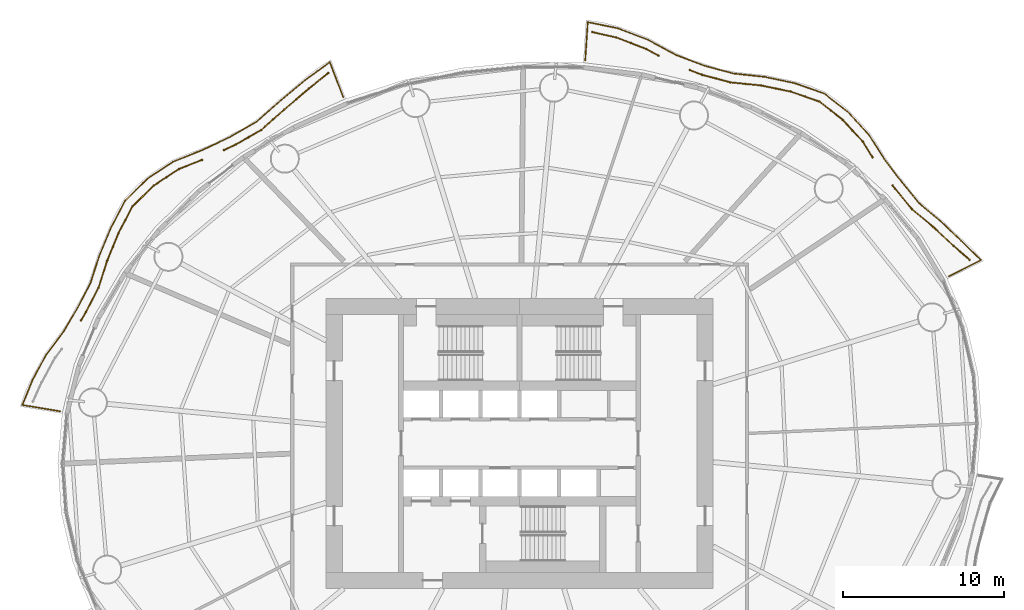
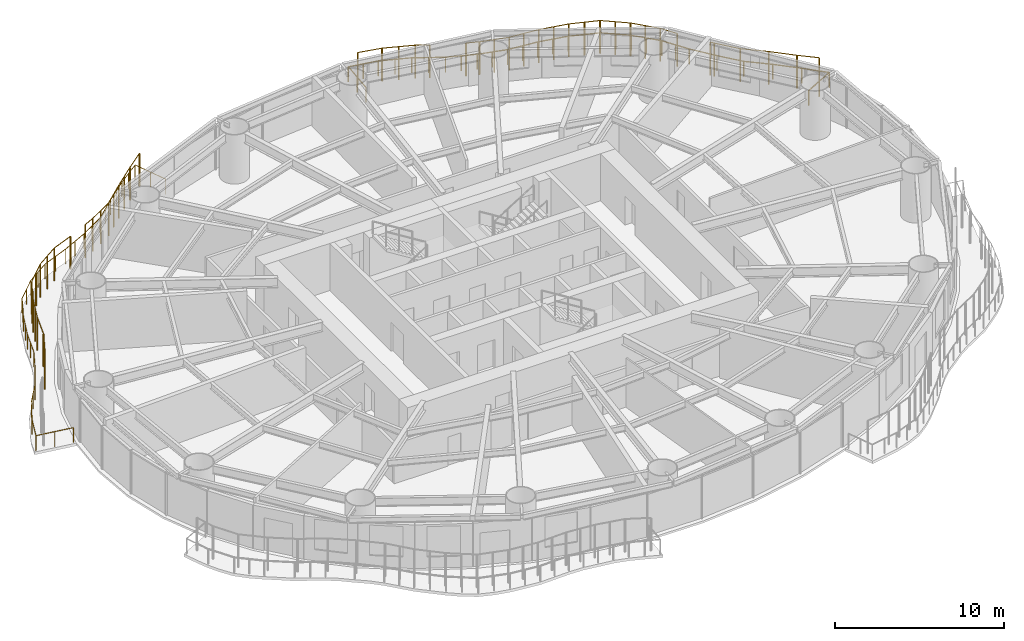
# One storey, part 16 of 16: 7 railings.
"""IFC4 building model written with IfcOpenShell, lengths in metres."""

from ifc_helpers import new_model, si_unit, direction, frame, origin, origin_2d, place, context, subcontext, project, spatial, circle, extrude, material, type_object, element, save


model = new_model("IFC4")

# Units and contexts
model_context = context("Model", 3, precision=1e-05, world=origin(), true_north=direction((0.0, 1.0)))
body_context = subcontext(model_context, "Body", "Model", "MODEL_VIEW")
ifc_project = project(units=[si_unit("LENGTHUNIT", "METRE"), si_unit("AREAUNIT", "SQUARE_METRE"), si_unit("VOLUMEUNIT", "CUBIC_METRE"), si_unit("PLANEANGLEUNIT", "RADIAN"), si_unit("MASSUNIT", "GRAM", prefix="KILO")], contexts=[model_context])

# Site, building, storey
site_placement = place(None, origin())
site = spatial("IfcSite", under=ifc_project, at=site_placement, CompositionType="ELEMENT")
building_placement = place(site_placement, origin())
building = spatial("IfcBuilding", under=site, at=building_placement, Name="Vermilion Reach Broadcast Tower", CompositionType="ELEMENT")
storey_placement = place(building_placement, frame((0.0, 0.0, 69.300048828125)))
storey = spatial("IfcBuildingStorey", under=building, at=storey_placement, Name="L14", CompositionType="ELEMENT", Elevation=69.300048828125)

# Railings
ifc_material_1 = material(Name="Terracotta baguette", Category="masonry")
railing_type_1 = type_object("IfcRailingType", Name="BAGUETTE SCREEN", PredefinedType="USERDEFINED", material=ifc_material_1)
railing_1_placement = place(storey_placement, frame((21.9052734375, 11.389404296875, 0.0)))
element("IfcRailing", 1, at=railing_1_placement, inside=storey, type_object=railing_type_1, Name="Baguette screen L14 group 1 part 1", ObjectType="BAGUETTE SCREEN", PredefinedType="USERDEFINED", context=body_context, shape_type="SweptSolid", body=[
    extrude(circle(Radius=0.030029296875, at=origin_2d()), frame((0.0, 0.0, 2.369873046875), z_axis=(-0.757444305583, 0.652899780931, 0.0), x_axis=(-0.652899780931, -0.757444305583, 0.0)), (0.0, 0.0, 1.0), 1.33349609375),
    extrude(circle(Radius=0.030029296875, at=origin_2d()), frame((-1.010009765625, 0.87060546875, 2.369873046875), z_axis=(-0.729706271537, 0.683760745641, 0.0), x_axis=(-0.683760745641, -0.729706271537, 0.0)), (0.0, 0.0, 1.0), 1.7109375),
    extrude(circle(Radius=0.030029296875, at=origin_2d()), frame((-2.258544921875, 2.04052734375, 2.369873046875), z_axis=(-0.768268114876, 0.64012819315, 0.0), x_axis=(-0.64012819315, -0.768268114876, 0.0)), (0.0, 0.0, 1.0), 1.708984375),
    extrude(circle(Radius=0.030029296875, at=origin_2d()), frame((-3.571533203125, 3.134521484375, 2.369873046875), z_axis=(-0.636260114843, 0.771474605065, 0.0), x_axis=(-0.771474605065, -0.636260114843, 0.0)), (0.0, 0.0, 1.0), 1.65576171875),
    extrude(circle(Radius=0.030029296875, at=origin_2d()), frame((-4.625, 4.411865234375, 2.369873046875), z_axis=(-0.602488804295, 0.798127333638, 0.0), x_axis=(-0.798127333638, -0.602488804295, 0.0)), (0.0, 0.0, 1.0), 0.250732421875),
    extrude(circle(Radius=0.050048828125, at=origin_2d()), origin(), (0.0, 0.0, 1.0), 2.33984375),
    extrude(circle(Radius=0.050048828125, at=origin_2d()), frame((-1.010009765625, 0.87060546875, 0.0)), (0.0, 0.0, 1.0), 2.33984375),
    extrude(circle(Radius=0.050048828125, at=origin_2d()), frame((-2.258544921875, 2.04052734375, 0.0)), (0.0, 0.0, 1.0), 2.33984375),
    extrude(circle(Radius=0.050048828125, at=origin_2d()), frame((-3.571533203125, 3.134521484375, 0.0)), (0.0, 0.0, 1.0), 2.33984375),
    extrude(circle(Radius=0.050048828125, at=origin_2d()), frame((-4.625, 4.411865234375, 0.0)), (0.0, 0.0, 1.0), 2.33984375),
    extrude(circle(Radius=0.050048828125, at=origin_2d()), frame((-4.776123046875, 4.612060546875, 0.0)), (0.0, 0.0, 1.0), 2.33984375),
])
railing_2_placement = place(storey_placement, frame((15.881103515625, 17.751708984375, 0.0)))
element("IfcRailing", 2, at=railing_2_placement, inside=storey, type_object=railing_type_1, Name="Baguette screen L14 group 1 part 2", ObjectType="BAGUETTE SCREEN", PredefinedType="USERDEFINED", context=body_context, shape_type="SweptSolid", body=[
    extrude(circle(Radius=0.030029296875, at=origin_2d()), frame((0.0, 0.0, 2.369873046875), z_axis=(-0.53182524605, 0.846854124194, 0.0), x_axis=(-0.846854124194, -0.53182524605, 0.0)), (0.0, 0.0, 1.0), 1.140869140625),
    extrude(circle(Radius=0.030029296875, at=origin_2d()), frame((-0.606689453125, 0.966064453125, 2.369873046875), z_axis=(-0.675658544034, 0.737214712193, 0.0), x_axis=(-0.737214712193, -0.675658544034, 0.0)), (0.0, 0.0, 1.0), 1.84033203125),
    extrude(circle(Radius=0.030029296875, at=origin_2d()), frame((-1.85009765625, 2.32275390625, 2.369873046875), z_axis=(-0.787078725753, 0.616852558936, 0.0), x_axis=(-0.616852558936, -0.787078725753, 0.0)), (0.0, 0.0, 1.0), 1.82568359375),
    extrude(circle(Radius=0.030029296875, at=origin_2d()), frame((-3.287109375, 3.448974609375, 2.369873046875), z_axis=(-0.94468370232, 0.327982777856, 0.0), x_axis=(-0.327982777856, -0.94468370232, 0.0)), (0.0, 0.0, 1.0), 1.884033203125),
    extrude(circle(Radius=0.030029296875, at=origin_2d()), frame((-5.06689453125, 4.06689453125, 2.369873046875), z_axis=(-0.978976098796, 0.203974993529, 0.0), x_axis=(-0.203974993529, -0.978976098796, 0.0)), (0.0, 0.0, 1.0), 1.88037109375),
    extrude(circle(Radius=0.030029296875, at=origin_2d()), frame((-6.90771484375, 4.450439453125, 2.369873046875), z_axis=(-0.994939506838, 0.100475756938, 0.0), x_axis=(-0.100475756938, -0.994939506838, 0.0)), (0.0, 0.0, 1.0), 1.914794921875),
    extrude(circle(Radius=0.030029296875, at=origin_2d()), frame((-8.812744140625, 4.642822265625, 2.369873046875), z_axis=(-0.96628383858, 0.257479209448, 0.0), x_axis=(-0.257479209448, -0.96628383858, 0.0)), (0.0, 0.0, 1.0), 1.822509765625),
    extrude(circle(Radius=0.030029296875, at=origin_2d()), frame((-10.57373046875, 5.112060546875, 2.369873046875), z_axis=(-0.934329877738, 0.356409426876, 0.0), x_axis=(-0.356409426876, -0.934329877738, 0.0)), (0.0, 0.0, 1.0), 0.80908203125),
    extrude(circle(Radius=0.050048828125, at=origin_2d()), origin(), (0.0, 0.0, 1.0), 2.33984375),
    extrude(circle(Radius=0.050048828125, at=origin_2d()), frame((-0.606689453125, 0.966064453125, 0.0)), (0.0, 0.0, 1.0), 2.33984375),
    extrude(circle(Radius=0.050048828125, at=origin_2d()), frame((-1.228515625, 1.64453125, 0.0)), (0.0, 0.0, 1.0), 2.33984375),
    extrude(circle(Radius=0.050048828125, at=origin_2d()), frame((-1.85009765625, 2.32275390625, 0.0)), (0.0, 0.0, 1.0), 2.33984375),
    extrude(circle(Radius=0.050048828125, at=origin_2d()), frame((-2.568603515625, 2.8857421875, 0.0)), (0.0, 0.0, 1.0), 2.33984375),
    extrude(circle(Radius=0.050048828125, at=origin_2d()), frame((-3.287109375, 3.448974609375, 0.0)), (0.0, 0.0, 1.0), 2.33984375),
    extrude(circle(Radius=0.050048828125, at=origin_2d()), frame((-4.177001953125, 3.7578125, 0.0)), (0.0, 0.0, 1.0), 2.33984375),
    extrude(circle(Radius=0.050048828125, at=origin_2d()), frame((-5.06689453125, 4.06689453125, 0.0)), (0.0, 0.0, 1.0), 2.33984375),
    extrude(circle(Radius=0.050048828125, at=origin_2d()), frame((-5.9873046875, 4.2587890625, 0.0)), (0.0, 0.0, 1.0), 2.33984375),
    extrude(circle(Radius=0.050048828125, at=origin_2d()), frame((-6.90771484375, 4.450439453125, 0.0)), (0.0, 0.0, 1.0), 2.33984375),
    extrude(circle(Radius=0.050048828125, at=origin_2d()), frame((-7.8603515625, 4.546630859375, 0.0)), (0.0, 0.0, 1.0), 2.33984375),
    extrude(circle(Radius=0.050048828125, at=origin_2d()), frame((-8.812744140625, 4.642822265625, 0.0)), (0.0, 0.0, 1.0), 2.33984375),
    extrude(circle(Radius=0.050048828125, at=origin_2d()), frame((-9.693359375, 4.87744140625, 0.0)), (0.0, 0.0, 1.0), 2.33984375),
    extrude(circle(Radius=0.050048828125, at=origin_2d()), frame((-10.57373046875, 5.112060546875, 0.0)), (0.0, 0.0, 1.0), 2.33984375),
    extrude(circle(Radius=0.050048828125, at=origin_2d()), frame((-11.32958984375, 5.400390625, 0.0)), (0.0, 0.0, 1.0), 2.33984375),
])
railing_3_placement = place(storey_placement, frame((2.606689453125, 24.05126953125, 0.0)))
element("IfcRailing", 3, at=railing_3_placement, inside=storey, type_object=railing_type_1, Name="Baguette screen L14 group 1 part 3", ObjectType="BAGUETTE SCREEN", PredefinedType="USERDEFINED", context=body_context, shape_type="SweptSolid", body=[
    extrude(circle(Radius=0.030029296875, at=origin_2d()), frame((0.0, 0.0, 2.369873046875), z_axis=(-0.877628398678, 0.479341625393, 0.0), x_axis=(-0.479341625393, -0.877628398678, 0.0)), (0.0, 0.0, 1.0), 0.87353515625),
    extrude(circle(Radius=0.030029296875, at=origin_2d()), frame((-0.7666015625, 0.418701171875, 2.369873046875), z_axis=(-0.933608831445, 0.35829394336, 0.0), x_axis=(-0.35829394336, -0.933608831445, 0.0)), (0.0, 0.0, 1.0), 1.982177734375),
    extrude(circle(Radius=0.030029296875, at=origin_2d()), frame((-2.6171875, 1.12890625, 2.369873046875), z_axis=(-0.976221229481, 0.216776638756, 0.0), x_axis=(-0.216776638756, -0.976221229481, 0.0)), (0.0, 0.0, 1.0), 1.512451171875),
    extrude(circle(Radius=0.050048828125, at=origin_2d()), origin(), (0.0, 0.0, 1.0), 2.33984375),
    extrude(circle(Radius=0.050048828125, at=origin_2d()), frame((-0.7666015625, 0.418701171875, 0.0)), (0.0, 0.0, 1.0), 2.33984375),
    extrude(circle(Radius=0.050048828125, at=origin_2d()), frame((-1.69189453125, 0.77392578125, 0.0)), (0.0, 0.0, 1.0), 2.33984375),
    extrude(circle(Radius=0.050048828125, at=origin_2d()), frame((-2.6171875, 1.12890625, 0.0)), (0.0, 0.0, 1.0), 2.33984375),
    extrude(circle(Radius=0.050048828125, at=origin_2d()), frame((-4.09375, 1.456787109375, 0.0)), (0.0, 0.0, 1.0), 2.33984375),
])
railing_4_placement = place(storey_placement, frame((-17.869384765625, 22.97265625, 0.0)))
element("IfcRailing", 4, at=railing_4_placement, inside=storey, type_object=railing_type_1, Name="Baguette screen L14 group 2 part 1", ObjectType="BAGUETTE SCREEN", PredefinedType="USERDEFINED", context=body_context, shape_type="SweptSolid", body=[
    extrude(circle(Radius=0.030029296875, at=origin_2d()), frame((0.0, 0.0, 2.369873046875), z_axis=(-0.778871217114, -0.627183886233, 0.0), x_axis=(0.627183886233, -0.778871217114, 0.0)), (0.0, 0.0, 1.0), 1.55322265625),
    extrude(circle(Radius=0.030029296875, at=origin_2d()), frame((-1.209716796875, -0.97412109375, 2.369873046875), z_axis=(-0.763194476156, -0.646168856852, 0.0), x_axis=(0.646168856852, -0.763194476156, 0.0)), (0.0, 0.0, 1.0), 1.979736328125),
    extrude(circle(Radius=0.030029296875, at=origin_2d()), frame((-2.720703125, -2.25341796875, 2.369873046875), z_axis=(-0.746554709381, -0.665324030756, 0.0), x_axis=(0.665324030756, -0.746554709381, 0.0)), (0.0, 0.0, 1.0), 1.908447265625),
    extrude(circle(Radius=0.030029296875, at=origin_2d()), frame((-4.1455078125, -3.523193359375, 2.369873046875), z_axis=(-0.868413104318, -0.49584138618, 0.0), x_axis=(0.49584138618, -0.868413104318, 0.0)), (0.0, 0.0, 1.0), 1.855712890625),
    extrude(circle(Radius=0.030029296875, at=origin_2d()), frame((-5.757080078125, -4.443359375, 2.369873046875), z_axis=(-0.905268633032, -0.424839619207, 0.0), x_axis=(0.424839619207, -0.905268633032, 0.0)), (0.0, 0.0, 1.0), 0.7861328125),
    extrude(circle(Radius=0.050048828125, at=origin_2d()), origin(), (0.0, 0.0, 1.0), 2.33984375),
    extrude(circle(Radius=0.050048828125, at=origin_2d()), frame((-1.209716796875, -0.97412109375, 0.0)), (0.0, 0.0, 1.0), 2.33984375),
    extrude(circle(Radius=0.050048828125, at=origin_2d()), frame((-1.96533203125, -1.61376953125, 0.0)), (0.0, 0.0, 1.0), 2.33984375),
    extrude(circle(Radius=0.050048828125, at=origin_2d()), frame((-2.720703125, -2.25341796875, 0.0)), (0.0, 0.0, 1.0), 2.33984375),
    extrude(circle(Radius=0.050048828125, at=origin_2d()), frame((-3.43310546875, -2.88818359375, 0.0)), (0.0, 0.0, 1.0), 2.33984375),
    extrude(circle(Radius=0.050048828125, at=origin_2d()), frame((-4.1455078125, -3.523193359375, 0.0)), (0.0, 0.0, 1.0), 2.33984375),
    extrude(circle(Radius=0.050048828125, at=origin_2d()), frame((-4.951171875, -3.9833984375, 0.0)), (0.0, 0.0, 1.0), 2.33984375),
    extrude(circle(Radius=0.050048828125, at=origin_2d()), frame((-5.757080078125, -4.443359375, 0.0)), (0.0, 0.0, 1.0), 2.33984375),
    extrude(circle(Radius=0.050048828125, at=origin_2d()), frame((-6.46875, -4.77734375, 0.0)), (0.0, 0.0, 1.0), 2.33984375),
])
railing_5_placement = place(storey_placement, frame((-25.690673828125, 17.589111328125, 0.0)))
element("IfcRailing", 5, at=railing_5_placement, inside=storey, type_object=railing_type_1, Name="Baguette screen L14 group 2 part 2", ObjectType="BAGUETTE SCREEN", PredefinedType="USERDEFINED", context=body_context, shape_type="SweptSolid", body=[
    extrude(circle(Radius=0.030029296875, at=origin_2d()), frame((0.0, 0.0, 2.369873046875), z_axis=(-0.930212082312, -0.367022454246, 0.0), x_axis=(0.367022454246, -0.930212082312, 0.0)), (0.0, 0.0, 1.0), 1.543212890625),
    extrude(circle(Radius=0.030029296875, at=origin_2d()), frame((-1.435546875, -0.56640625, 2.369873046875), z_axis=(-0.834911838921, -0.550383703637, 0.0), x_axis=(0.550383703637, -0.834911838921, 0.0)), (0.0, 0.0, 1.0), 1.86962890625),
    extrude(circle(Radius=0.030029296875, at=origin_2d()), frame((-2.99658203125, -1.595458984375, 2.369873046875), z_axis=(-0.715054701141, -0.699068504781, 0.0), x_axis=(0.699068504781, -0.715054701141, 0.0)), (0.0, 0.0, 1.0), 1.86328125),
    extrude(circle(Radius=0.030029296875, at=origin_2d()), frame((-4.328857421875, -2.89794921875, 2.369873046875), z_axis=(-0.461340285887, -0.887223275516, 0.0), x_axis=(0.887223275516, -0.461340285887, 0.0)), (0.0, 0.0, 1.0), 1.852294921875),
    extrude(circle(Radius=0.030029296875, at=origin_2d()), frame((-5.183349609375, -4.541259765625, 2.369873046875), z_axis=(-0.381170599288, -0.924504718343, 0.0), x_axis=(0.924504718343, -0.381170599288, 0.0)), (0.0, 0.0, 1.0), 1.838134765625),
    extrude(circle(Radius=0.030029296875, at=origin_2d()), frame((-5.884033203125, -6.24072265625, 2.369873046875), z_axis=(-0.303944219737, -0.952689829529, 0.0), x_axis=(0.952689829529, -0.303944219737, 0.0)), (0.0, 0.0, 1.0), 1.768798828125),
    extrude(circle(Radius=0.030029296875, at=origin_2d()), frame((-6.421630859375, -7.92578125, 2.369873046875), z_axis=(-0.4596657168, -0.888092015953, 0.0), x_axis=(0.888092015953, -0.4596657168, 0.0)), (0.0, 0.0, 1.0), 1.69580078125),
    extrude(circle(Radius=0.030029296875, at=origin_2d()), frame((-7.201171875, -9.431884765625, 2.369873046875), z_axis=(-0.50822919844, -0.861221854026, 0.0), x_axis=(0.861221854026, -0.50822919844, 0.0)), (0.0, 0.0, 1.0), 0.608642578125),
    extrude(circle(Radius=0.050048828125, at=origin_2d()), origin(), (0.0, 0.0, 1.0), 2.33984375),
    extrude(circle(Radius=0.050048828125, at=origin_2d()), frame((-1.435546875, -0.56640625, 0.0)), (0.0, 0.0, 1.0), 2.33984375),
    extrude(circle(Radius=0.050048828125, at=origin_2d()), frame((-2.216064453125, -1.0810546875, 0.0)), (0.0, 0.0, 1.0), 2.33984375),
    extrude(circle(Radius=0.050048828125, at=origin_2d()), frame((-2.99658203125, -1.595458984375, 0.0)), (0.0, 0.0, 1.0), 2.33984375),
    extrude(circle(Radius=0.050048828125, at=origin_2d()), frame((-3.66259765625, -2.24658203125, 0.0)), (0.0, 0.0, 1.0), 2.33984375),
    extrude(circle(Radius=0.050048828125, at=origin_2d()), frame((-4.328857421875, -2.89794921875, 0.0)), (0.0, 0.0, 1.0), 2.33984375),
    extrude(circle(Radius=0.050048828125, at=origin_2d()), frame((-4.756103515625, -3.7197265625, 0.0)), (0.0, 0.0, 1.0), 2.33984375),
    extrude(circle(Radius=0.050048828125, at=origin_2d()), frame((-5.183349609375, -4.541259765625, 0.0)), (0.0, 0.0, 1.0), 2.33984375),
    extrude(circle(Radius=0.050048828125, at=origin_2d()), frame((-5.53369140625, -5.39111328125, 0.0)), (0.0, 0.0, 1.0), 2.33984375),
    extrude(circle(Radius=0.050048828125, at=origin_2d()), frame((-5.884033203125, -6.24072265625, 0.0)), (0.0, 0.0, 1.0), 2.33984375),
    extrude(circle(Radius=0.050048828125, at=origin_2d()), frame((-6.421630859375, -7.92578125, 0.0)), (0.0, 0.0, 1.0), 2.33984375),
    extrude(circle(Radius=0.050048828125, at=origin_2d()), frame((-7.201171875, -9.431884765625, 0.0)), (0.0, 0.0, 1.0), 2.33984375),
    extrude(circle(Radius=0.050048828125, at=origin_2d()), frame((-7.510498046875, -9.9560546875, 0.0)), (0.0, 0.0, 1.0), 2.33984375),
])
ifc_material_2 = material(Name="Stainless steel 316 balustrade", Category="steel")
railing_type_2 = type_object("IfcRailingType", Name="Balcony guard 1100", PredefinedType="BALUSTRADE", material=ifc_material_2)
railing_6_placement = place(storey_placement, frame((20.614013671875, 10.371337890625, 0.0)))
element("IfcRailing", 6, at=railing_6_placement, inside=storey, type_object=railing_type_2, Name="Balcony guard L14 group 1", PredefinedType="BALUSTRADE", context=body_context, shape_type="SweptSolid", body=[
    extrude(circle(Radius=0.02490234375, at=origin_2d()), frame((0.0, 0.0, 1.0751953125), z_axis=(0.893278745249, 0.449503151586, 0.0), x_axis=(-0.449503151586, 0.893278745249, 0.0)), (0.0, 0.0, 1.0), 2.216552734375),
    extrude(circle(Radius=0.02490234375, at=origin_2d()), frame((1.97998046875, 0.996337890625, 1.0751953125), z_axis=(-0.710056168075, 0.704145040584, 0.0), x_axis=(-0.704145040584, -0.710056168075, 0.0)), (0.0, 0.0, 1.0), 1.693359375),
    extrude(circle(Radius=0.02490234375, at=origin_2d()), frame((0.777587890625, 2.188720703125, 1.0751953125), z_axis=(-0.725795287103, 0.687910750912, 0.0), x_axis=(-0.687910750912, -0.725795287103, 0.0)), (0.0, 0.0, 1.0), 1.7529296875),
    extrude(circle(Radius=0.02490234375, at=origin_2d()), frame((-0.49462890625, 3.39453125, 1.0751953125), z_axis=(-0.764759348439, 0.644316024149, 0.0), x_axis=(-0.644316024149, -0.764759348439, 0.0)), (0.0, 0.0, 1.0), 1.751220703125),
    extrude(circle(Radius=0.02490234375, at=origin_2d()), frame((-1.833984375, 4.52294921875, 1.0751953125), z_axis=(-0.636952090501, 0.770903388504, 0.0), x_axis=(-0.770903388504, -0.636952090501, 0.0)), (0.0, 0.0, 1.0), 1.69677734375),
    extrude(circle(Radius=0.02490234375, at=origin_2d()), frame((-2.914794921875, 5.8310546875, 1.0751953125), z_axis=(-0.605093775792, 0.796154207737, 0.0), x_axis=(-0.796154207737, -0.605093775792, 0.0)), (0.0, 0.0, 1.0), 1.767333984375),
    extrude(circle(Radius=0.02490234375, at=origin_2d()), frame((-3.984130859375, 7.238037109375, 1.0751953125), z_axis=(-0.537318535502, 0.843379387587, 0.0), x_axis=(-0.843379387587, -0.537318535502, 0.0)), (0.0, 0.0, 1.0), 1.853759765625),
    extrude(circle(Radius=0.02490234375, at=origin_2d()), frame((-4.980224609375, 8.801513671875, 1.0751953125), z_axis=(-0.67868476986, 0.734429699263, 0.0), x_axis=(-0.734429699263, -0.67868476986, 0.0)), (0.0, 0.0, 1.0), 1.87890625),
    extrude(circle(Radius=0.02490234375, at=origin_2d()), frame((-6.25537109375, 10.181396484375, 1.0751953125), z_axis=(-0.788179328726, 0.615445648104, 0.0), x_axis=(-0.615445648104, -0.788179328726, 0.0)), (0.0, 0.0, 1.0), 1.86279296875),
    extrude(circle(Radius=0.02490234375, at=origin_2d()), frame((-7.7236328125, 11.327880859375, 1.0751953125), z_axis=(-0.943582562895, 0.331137353677, 0.0), x_axis=(-0.331137353677, -0.943582562895, 0.0)), (0.0, 0.0, 1.0), 1.920654296875),
    extrude(circle(Radius=0.02490234375, at=origin_2d()), frame((-9.535888671875, 11.9638671875, 1.0751953125), z_axis=(-0.978088809473, 0.20818808992, 0.0), x_axis=(-0.20818808992, -0.978088809473, 0.0)), (0.0, 0.0, 1.0), 1.9150390625),
    extrude(circle(Radius=0.02490234375, at=origin_2d()), frame((-11.408935546875, 12.362548828125, 1.0751953125), z_axis=(-0.994419996133, 0.105493465635, 0.0), x_axis=(-0.105493465635, -0.994419996133, 0.0)), (0.0, 0.0, 1.0), 1.94873046875),
    extrude(circle(Radius=0.02490234375, at=origin_2d()), frame((-13.3466796875, 12.568115234375, 1.0751953125), z_axis=(-0.966027247957, 0.2584402372, 0.0), x_axis=(-0.2584402372, -0.966027247957, 0.0)), (0.0, 0.0, 1.0), 1.856201171875),
    extrude(circle(Radius=0.02490234375, at=origin_2d()), frame((-15.139892578125, 13.0478515625, 1.0751953125), z_axis=(-0.934987247412, 0.354681331871, 0.0), x_axis=(-0.354681331871, -0.934987247412, 0.0)), (0.0, 0.0, 1.0), 1.901123046875),
    extrude(circle(Radius=0.02490234375, at=origin_2d()), frame((-16.91748046875, 13.72216796875, 1.0751953125), z_axis=(-0.879927922368, 0.475107199943, 0.0), x_axis=(-0.475107199943, -0.879927922368, 0.0)), (0.0, 0.0, 1.0), 1.993896484375),
    extrude(circle(Radius=0.02490234375, at=origin_2d()), frame((-18.671875, 14.66943359375, 1.0751953125), z_axis=(-0.934861636511, 0.355012282295, 0.0), x_axis=(-0.355012282295, -0.934861636511, 0.0)), (0.0, 0.0, 1.0), 2.01416015625),
    extrude(circle(Radius=0.02490234375, at=origin_2d()), frame((-20.554931640625, 15.384521484375, 1.0751953125), z_axis=(-0.980223060254, 0.19789581134, 0.0), x_axis=(-0.19789581134, -0.980223060254, 0.0)), (0.0, 0.0, 1.0), 1.872802734375),
    extrude(circle(Radius=0.02490234375, at=origin_2d()), frame((-22.390625, 15.755126953125, 1.0751953125), z_axis=(-0.065605859443, -0.997845614916, 0.0), x_axis=(0.997845614916, -0.065605859443, 0.0)), (0.0, 0.0, 1.0), 2.3779296875),
    extrude(circle(Radius=0.02490234375, at=origin_2d()), origin(), (0.0, 0.0, 1.0), 1.050048828125),
    extrude(circle(Radius=0.02490234375, at=origin_2d()), frame((0.989990234375, 0.498046875, 0.0)), (0.0, 0.0, 1.0), 1.050048828125),
    extrude(circle(Radius=0.02490234375, at=origin_2d()), frame((1.97998046875, 0.996337890625, 0.0)), (0.0, 0.0, 1.0), 1.050048828125),
    extrude(circle(Radius=0.02490234375, at=origin_2d()), frame((0.777587890625, 2.188720703125, 0.0)), (0.0, 0.0, 1.0), 1.050048828125),
    extrude(circle(Radius=0.02490234375, at=origin_2d()), frame((-0.49462890625, 3.39453125, 0.0)), (0.0, 0.0, 1.0), 1.050048828125),
    extrude(circle(Radius=0.02490234375, at=origin_2d()), frame((-1.833984375, 4.52294921875, 0.0)), (0.0, 0.0, 1.0), 1.050048828125),
    extrude(circle(Radius=0.02490234375, at=origin_2d()), frame((-2.914794921875, 5.8310546875, 0.0)), (0.0, 0.0, 1.0), 1.050048828125),
    extrude(circle(Radius=0.02490234375, at=origin_2d()), frame((-3.984130859375, 7.238037109375, 0.0)), (0.0, 0.0, 1.0), 1.050048828125),
    extrude(circle(Radius=0.02490234375, at=origin_2d()), frame((-4.482177734375, 8.019775390625, 0.0)), (0.0, 0.0, 1.0), 1.050048828125),
    extrude(circle(Radius=0.02490234375, at=origin_2d()), frame((-4.980224609375, 8.801513671875, 0.0)), (0.0, 0.0, 1.0), 1.050048828125),
    extrude(circle(Radius=0.02490234375, at=origin_2d()), frame((-5.61767578125, 9.491455078125, 0.0)), (0.0, 0.0, 1.0), 1.050048828125),
    extrude(circle(Radius=0.02490234375, at=origin_2d()), frame((-6.25537109375, 10.181396484375, 0.0)), (0.0, 0.0, 1.0), 1.050048828125),
    extrude(circle(Radius=0.02490234375, at=origin_2d()), frame((-6.989501953125, 10.754638671875, 0.0)), (0.0, 0.0, 1.0), 1.050048828125),
    extrude(circle(Radius=0.02490234375, at=origin_2d()), frame((-7.7236328125, 11.327880859375, 0.0)), (0.0, 0.0, 1.0), 1.050048828125),
    extrude(circle(Radius=0.02490234375, at=origin_2d()), frame((-8.6298828125, 11.64599609375, 0.0)), (0.0, 0.0, 1.0), 1.050048828125),
    extrude(circle(Radius=0.02490234375, at=origin_2d()), frame((-9.535888671875, 11.9638671875, 0.0)), (0.0, 0.0, 1.0), 1.050048828125),
    extrude(circle(Radius=0.02490234375, at=origin_2d()), frame((-10.472412109375, 12.1630859375, 0.0)), (0.0, 0.0, 1.0), 1.050048828125),
    extrude(circle(Radius=0.02490234375, at=origin_2d()), frame((-11.408935546875, 12.362548828125, 0.0)), (0.0, 0.0, 1.0), 1.050048828125),
    extrude(circle(Radius=0.02490234375, at=origin_2d()), frame((-12.3779296875, 12.46533203125, 0.0)), (0.0, 0.0, 1.0), 1.050048828125),
    extrude(circle(Radius=0.02490234375, at=origin_2d()), frame((-13.3466796875, 12.568115234375, 0.0)), (0.0, 0.0, 1.0), 1.050048828125),
    extrude(circle(Radius=0.02490234375, at=origin_2d()), frame((-14.2431640625, 12.80810546875, 0.0)), (0.0, 0.0, 1.0), 1.050048828125),
    extrude(circle(Radius=0.02490234375, at=origin_2d()), frame((-15.139892578125, 13.0478515625, 0.0)), (0.0, 0.0, 1.0), 1.050048828125),
    extrude(circle(Radius=0.02490234375, at=origin_2d()), frame((-16.02880859375, 13.385009765625, 0.0)), (0.0, 0.0, 1.0), 1.050048828125),
    extrude(circle(Radius=0.02490234375, at=origin_2d()), frame((-16.91748046875, 13.72216796875, 0.0)), (0.0, 0.0, 1.0), 1.050048828125),
    extrude(circle(Radius=0.02490234375, at=origin_2d()), frame((-17.794677734375, 14.19580078125, 0.0)), (0.0, 0.0, 1.0), 1.050048828125),
    extrude(circle(Radius=0.02490234375, at=origin_2d()), frame((-18.671875, 14.66943359375, 0.0)), (0.0, 0.0, 1.0), 1.050048828125),
    extrude(circle(Radius=0.02490234375, at=origin_2d()), frame((-19.61328125, 15.02685546875, 0.0)), (0.0, 0.0, 1.0), 1.050048828125),
    extrude(circle(Radius=0.02490234375, at=origin_2d()), frame((-20.554931640625, 15.384521484375, 0.0)), (0.0, 0.0, 1.0), 1.050048828125),
    extrude(circle(Radius=0.02490234375, at=origin_2d()), frame((-21.47265625, 15.56982421875, 0.0)), (0.0, 0.0, 1.0), 1.050048828125),
    extrude(circle(Radius=0.02490234375, at=origin_2d()), frame((-22.390625, 15.755126953125, 0.0)), (0.0, 0.0, 1.0), 1.050048828125),
    extrude(circle(Radius=0.02490234375, at=origin_2d()), frame((-22.46875, 14.56884765625, 0.0)), (0.0, 0.0, 1.0), 1.050048828125),
    extrude(circle(Radius=0.02490234375, at=origin_2d()), frame((-22.546630859375, 13.38232421875, 0.0)), (0.0, 0.0, 1.0), 1.050048828125),
])
railing_7_placement = place(storey_placement, frame((-16.939697265625, 21.473388671875, 0.0)))
element("IfcRailing", 7, at=railing_7_placement, inside=storey, type_object=railing_type_2, Name="Balcony guard L14 group 2", PredefinedType="BALUSTRADE", context=body_context, shape_type="SweptSolid", body=[
    extrude(circle(Radius=0.02490234375, at=origin_2d()), frame((0.0, 0.0, 1.0751953125), z_axis=(-0.359007150535, 0.933334809093, 0.0), x_axis=(-0.933334809093, -0.359007150535, 0.0)), (0.0, 0.0, 1.0), 2.331298828125),
    extrude(circle(Radius=0.02490234375, at=origin_2d()), frame((-0.8369140625, 2.17578125, 1.0751953125), z_axis=(-0.808392410836, -0.588643958691, 0.0), x_axis=(0.588643958691, -0.808392410836, 0.0)), (0.0, 0.0, 1.0), 1.9052734375),
    extrude(circle(Radius=0.02490234375, at=origin_2d()), frame((-2.377197265625, 1.05419921875, 1.0751953125), z_axis=(-0.765798113531, -0.643081059675, 0.0), x_axis=(0.643081059675, -0.765798113531, 0.0)), (0.0, 0.0, 1.0), 2.01123046875),
    extrude(circle(Radius=0.02490234375, at=origin_2d()), frame((-3.91748046875, -0.2392578125, 1.0751953125), z_axis=(-0.748941329189, -0.662636314604, 0.0), x_axis=(0.662636314604, -0.748941329189, 0.0)), (0.0, 0.0, 1.0), 1.940673828125),
    extrude(circle(Radius=0.02490234375, at=origin_2d()), frame((-5.370849609375, -1.525146484375, 1.0751953125), z_axis=(-0.868068150563, -0.496445048297, 0.0), x_axis=(0.496445048297, -0.868068150563, 0.0)), (0.0, 0.0, 1.0), 1.889404296875),
    extrude(circle(Radius=0.02490234375, at=origin_2d()), frame((-7.010986328125, -2.463134765625, 1.0751953125), z_axis=(-0.903908333064, -0.42772622718, 0.0), x_axis=(0.42772622718, -0.903908333064, 0.0)), (0.0, 0.0, 1.0), 1.89453125),
    extrude(circle(Radius=0.02490234375, at=origin_2d()), frame((-8.723388671875, -3.2734375, 1.0751953125), z_axis=(-0.928255981395, -0.37194197532, 0.0), x_axis=(0.37194197532, -0.928255981395, 0.0)), (0.0, 0.0, 1.0), 1.98486328125),
    extrude(circle(Radius=0.02490234375, at=origin_2d()), frame((-10.56591796875, -4.01171875, 1.0751953125), z_axis=(-0.833192316101, -0.552983331024, 0.0), x_axis=(0.552983331024, -0.833192316101, 0.0)), (0.0, 0.0, 1.0), 1.904541015625),
    extrude(circle(Radius=0.02490234375, at=origin_2d()), frame((-12.15283203125, -5.06494140625, 1.0751953125), z_axis=(-0.71464553811, -0.699486779617, 0.0), x_axis=(0.699486779617, -0.71464553811, 0.0)), (0.0, 0.0, 1.0), 1.900390625),
    extrude(circle(Radius=0.02490234375, at=origin_2d()), frame((-13.510986328125, -6.394287109375, 1.0751953125), z_axis=(-0.465170857613, -0.885220917753, 0.0), x_axis=(0.885220917753, -0.465170857613, 0.0)), (0.0, 0.0, 1.0), 1.888427734375),
    extrude(circle(Radius=0.02490234375, at=origin_2d()), frame((-14.389404296875, -8.06591796875, 1.0751953125), z_axis=(-0.385880624475, -0.922548721562, 0.0), x_axis=(0.922548721562, -0.385880624475, 0.0)), (0.0, 0.0, 1.0), 1.87646484375),
    extrude(circle(Radius=0.02490234375, at=origin_2d()), frame((-15.113525390625, -9.797119140625, 1.0751953125), z_axis=(-0.309043294726, -0.951047970391, 0.0), x_axis=(0.951047970391, -0.309043294726, 0.0)), (0.0, 0.0, 1.0), 1.806640625),
    extrude(circle(Radius=0.02490234375, at=origin_2d()), frame((-15.671875, -11.515380859375, 1.0751953125), z_axis=(-0.460263834933, -0.887782181761, 0.0), x_axis=(0.887782181761, -0.460263834933, 0.0)), (0.0, 0.0, 1.0), 1.737060546875),
    extrude(circle(Radius=0.02490234375, at=origin_2d()), frame((-16.471435546875, -13.0576171875, 1.0751953125), z_axis=(-0.506034428865, -0.862513279204, 0.0), x_axis=(0.862513279204, -0.506034428865, 0.0)), (0.0, 0.0, 1.0), 1.710693359375),
    extrude(circle(Radius=0.02490234375, at=origin_2d()), frame((-17.337158203125, -14.533203125, 1.0751953125), z_axis=(-0.600993539654, -0.799253880375, 0.0), x_axis=(0.799253880375, -0.600993539654, 0.0)), (0.0, 0.0, 1.0), 1.8076171875),
    extrude(circle(Radius=0.02490234375, at=origin_2d()), frame((-18.423583984375, -15.97802734375, 1.0751953125), z_axis=(-0.475249136682, -0.879851270433, 0.0), x_axis=(0.879851270433, -0.475249136682, 0.0)), (0.0, 0.0, 1.0), 1.772705078125),
    extrude(circle(Radius=0.02490234375, at=origin_2d()), frame((-19.26611328125, -17.537841796875, 1.0751953125), z_axis=(-0.377324717504, -0.926081021056, 0.0), x_axis=(0.926081021056, -0.377324717504, 0.0)), (0.0, 0.0, 1.0), 1.671875),
    extrude(circle(Radius=0.02490234375, at=origin_2d()), frame((-19.89697265625, -19.086181640625, 1.0751953125), z_axis=(0.986468829564, -0.163948919783, 0.0), x_axis=(0.163948919783, 0.986468829564, 0.0)), (0.0, 0.0, 1.0), 2.375244140625),
    extrude(circle(Radius=0.02490234375, at=origin_2d()), origin(), (0.0, 0.0, 1.0), 1.050048828125),
    extrude(circle(Radius=0.02490234375, at=origin_2d()), frame((-0.41845703125, 1.087890625, 0.0)), (0.0, 0.0, 1.0), 1.050048828125),
    extrude(circle(Radius=0.02490234375, at=origin_2d()), frame((-0.8369140625, 2.17578125, 0.0)), (0.0, 0.0, 1.0), 1.050048828125),
    extrude(circle(Radius=0.02490234375, at=origin_2d()), frame((-1.60693359375, 1.614990234375, 0.0)), (0.0, 0.0, 1.0), 1.050048828125),
    extrude(circle(Radius=0.02490234375, at=origin_2d()), frame((-2.377197265625, 1.05419921875, 0.0)), (0.0, 0.0, 1.0), 1.050048828125),
    extrude(circle(Radius=0.02490234375, at=origin_2d()), frame((-3.1474609375, 0.407470703125, 0.0)), (0.0, 0.0, 1.0), 1.050048828125),
    extrude(circle(Radius=0.02490234375, at=origin_2d()), frame((-3.91748046875, -0.2392578125, 0.0)), (0.0, 0.0, 1.0), 1.050048828125),
    extrude(circle(Radius=0.02490234375, at=origin_2d()), frame((-4.64404296875, -0.88232421875, 0.0)), (0.0, 0.0, 1.0), 1.050048828125),
    extrude(circle(Radius=0.02490234375, at=origin_2d()), frame((-5.370849609375, -1.525146484375, 0.0)), (0.0, 0.0, 1.0), 1.050048828125),
    extrude(circle(Radius=0.02490234375, at=origin_2d()), frame((-6.19091796875, -1.994140625, 0.0)), (0.0, 0.0, 1.0), 1.050048828125),
    extrude(circle(Radius=0.02490234375, at=origin_2d()), frame((-7.010986328125, -2.463134765625, 0.0)), (0.0, 0.0, 1.0), 1.050048828125),
    extrude(circle(Radius=0.02490234375, at=origin_2d()), frame((-7.8671875, -2.8681640625, 0.0)), (0.0, 0.0, 1.0), 1.050048828125),
    extrude(circle(Radius=0.02490234375, at=origin_2d()), frame((-8.723388671875, -3.2734375, 0.0)), (0.0, 0.0, 1.0), 1.050048828125),
    extrude(circle(Radius=0.02490234375, at=origin_2d()), frame((-9.64453125, -3.642578125, 0.0)), (0.0, 0.0, 1.0), 1.050048828125),
    extrude(circle(Radius=0.02490234375, at=origin_2d()), frame((-10.56591796875, -4.01171875, 0.0)), (0.0, 0.0, 1.0), 1.050048828125),
    extrude(circle(Radius=0.02490234375, at=origin_2d()), frame((-11.359375, -4.538330078125, 0.0)), (0.0, 0.0, 1.0), 1.050048828125),
    extrude(circle(Radius=0.02490234375, at=origin_2d()), frame((-12.15283203125, -5.06494140625, 0.0)), (0.0, 0.0, 1.0), 1.050048828125),
    extrude(circle(Radius=0.02490234375, at=origin_2d()), frame((-12.83203125, -5.7294921875, 0.0)), (0.0, 0.0, 1.0), 1.050048828125),
    extrude(circle(Radius=0.02490234375, at=origin_2d()), frame((-13.510986328125, -6.394287109375, 0.0)), (0.0, 0.0, 1.0), 1.050048828125),
    extrude(circle(Radius=0.02490234375, at=origin_2d()), frame((-13.9501953125, -7.22998046875, 0.0)), (0.0, 0.0, 1.0), 1.050048828125),
    extrude(circle(Radius=0.02490234375, at=origin_2d()), frame((-14.389404296875, -8.06591796875, 0.0)), (0.0, 0.0, 1.0), 1.050048828125),
    extrude(circle(Radius=0.02490234375, at=origin_2d()), frame((-14.75146484375, -8.931640625, 0.0)), (0.0, 0.0, 1.0), 1.050048828125),
    extrude(circle(Radius=0.02490234375, at=origin_2d()), frame((-15.113525390625, -9.797119140625, 0.0)), (0.0, 0.0, 1.0), 1.050048828125),
    extrude(circle(Radius=0.02490234375, at=origin_2d()), frame((-15.392578125, -10.65625, 0.0)), (0.0, 0.0, 1.0), 1.050048828125),
    extrude(circle(Radius=0.02490234375, at=origin_2d()), frame((-15.671875, -11.515380859375, 0.0)), (0.0, 0.0, 1.0), 1.050048828125),
    extrude(circle(Radius=0.02490234375, at=origin_2d()), frame((-16.471435546875, -13.0576171875, 0.0)), (0.0, 0.0, 1.0), 1.050048828125),
    extrude(circle(Radius=0.02490234375, at=origin_2d()), frame((-17.337158203125, -14.533203125, 0.0)), (0.0, 0.0, 1.0), 1.050048828125),
    extrude(circle(Radius=0.02490234375, at=origin_2d()), frame((-17.88037109375, -15.255615234375, 0.0)), (0.0, 0.0, 1.0), 1.050048828125),
    extrude(circle(Radius=0.02490234375, at=origin_2d()), frame((-18.423583984375, -15.97802734375, 0.0)), (0.0, 0.0, 1.0), 1.050048828125),
    extrude(circle(Radius=0.02490234375, at=origin_2d()), frame((-19.26611328125, -17.537841796875, 0.0)), (0.0, 0.0, 1.0), 1.050048828125),
    extrude(circle(Radius=0.02490234375, at=origin_2d()), frame((-19.89697265625, -19.086181640625, 0.0)), (0.0, 0.0, 1.0), 1.050048828125),
    extrude(circle(Radius=0.02490234375, at=origin_2d()), frame((-18.7255859375, -19.28076171875, 0.0)), (0.0, 0.0, 1.0), 1.050048828125),
    extrude(circle(Radius=0.02490234375, at=origin_2d()), frame((-17.553955078125, -19.4755859375, 0.0)), (0.0, 0.0, 1.0), 1.050048828125),
])

save(model, "model.ifc")
